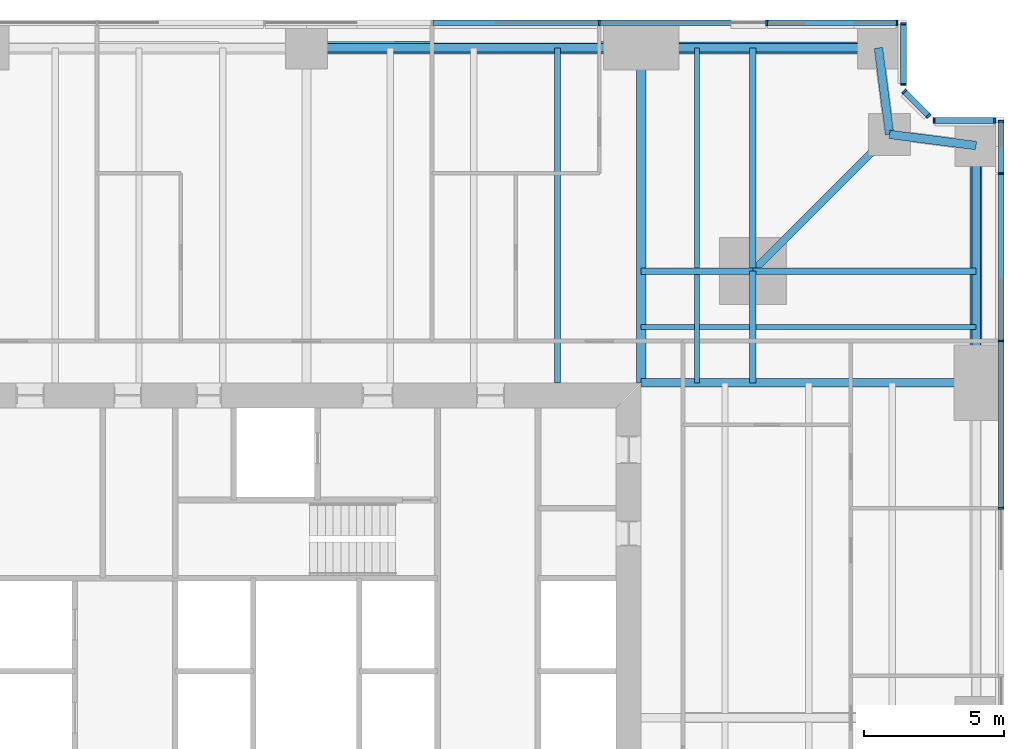
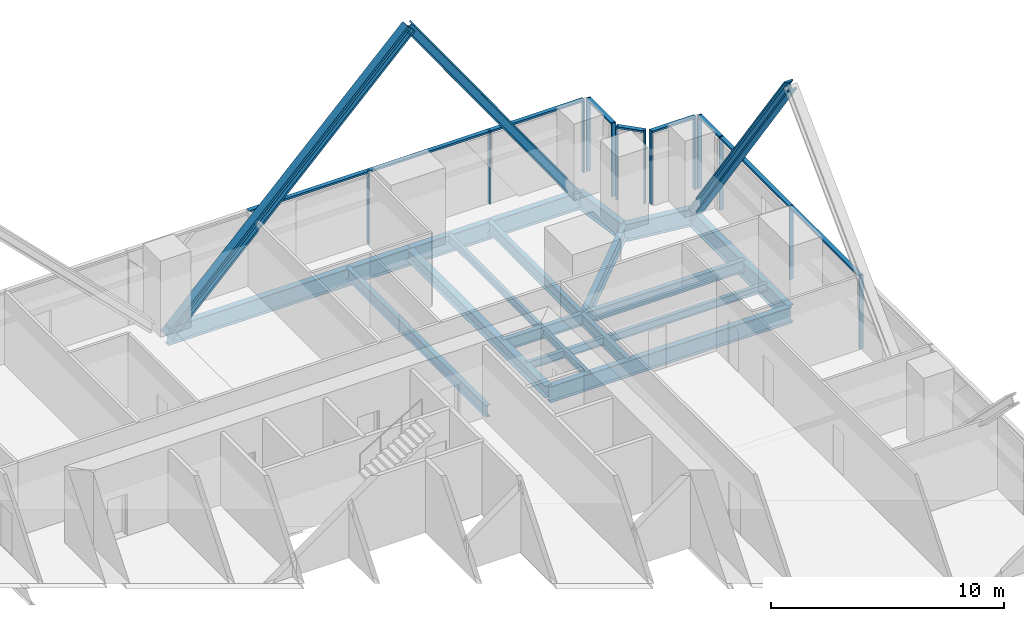
# One storey, part 7 of 13: 25 members, 18 beams, 5 elements without a shape of their own.
"""IFC4 building model written with IfcOpenShell, lengths in metres."""

from ifc_helpers import new_model, si_unit, direction, frame, origin, origin_2d, place, context, subcontext, project, spatial, rectangle, i_section, extrude, material, material_profile, profile_set, type_object, element, aggregate, save


model = new_model("IFC4")

# Units and contexts
model_context = context("Model", 3, precision=1e-05, world=origin(), true_north=direction((0.0, 1.0)))
body_context = subcontext(model_context, "Body", "Model", "MODEL_VIEW")
ifc_project = project(units=[si_unit("LENGTHUNIT", "METRE"), si_unit("AREAUNIT", "SQUARE_METRE"), si_unit("VOLUMEUNIT", "CUBIC_METRE"), si_unit("PLANEANGLEUNIT", "RADIAN"), si_unit("MASSUNIT", "GRAM", prefix="KILO")], contexts=[model_context])

# Site, building, storey
site_placement = place(None, origin())
site = spatial("IfcSite", under=ifc_project, at=site_placement, CompositionType="ELEMENT")
building_placement = place(site_placement, origin())
building = spatial("IfcBuilding", under=site, at=building_placement, Name="Fenwick Lantern Interchange", CompositionType="ELEMENT")
storey_placement = place(building_placement, frame((0.0, 0.0, 43.0)))
storey = spatial("IfcBuildingStorey", under=building, at=storey_placement, Name="L09", CompositionType="ELEMENT", Elevation=43.0)

# Beams
ifc_material_1 = material(Name="Steel ASTM A992 Grade 50", Category="steel")
ifc_material_profile_1 = material_profile(ifc_material_1, i_section(OverallWidth=0.3046875, OverallDepth=0.911865234375, WebThickness=0.015869140625, FlangeThickness=0.02392578125, at=origin_2d()), Name="W36X150")
ifc_profile_set_1 = profile_set([ifc_material_profile_1], Name="Steel ASTM A992 Grade 50")
beam_type_1 = type_object("IfcBeamType", Name="EDGE BEAM W36X150", PredefinedType="SPANDREL", material=ifc_profile_set_1)
beam_1_placement = place(storey_placement, frame((49.0, 37.0, -0.60595703125), z_axis=(0.0, 1.0, 0.0), x_axis=(-1.0, 0.0, 0.0)))
element("IfcBeam", 1, at=beam_1_placement, inside=storey, type_object=beam_type_1, Name="L09/FR/E/EB4", PredefinedType="SPANDREL", context=body_context, shape_type="SweptSolid", body=[
    extrude(i_section(OverallWidth=0.3046875, OverallDepth=0.911865234375, WebThickness=0.015869140625, FlangeThickness=0.02392578125, at=origin_2d()), origin(), (0.0, 0.0, 1.0), 8.5),
])
for number, where, z_axis, x_axis, name in (
    (2, (49.0, 45.5, -0.60595703125), (-0.991782342897, 0.127936641807, 0.0), (-0.127936641807, -0.991782342897, 0.0), "L09/FR/E/EBR1"),
    (3, (45.89990234375, 45.89990234375, -0.60595703125), (-0.127936641807, 0.991782342897, 0.0), (-0.991782342897, -0.127936641807, 0.0), "L09/FR/E/EBR2"),
):
    element("IfcBeam", number, at=place(storey_placement, frame(where, z_axis=z_axis, x_axis=x_axis)), inside=storey, type_object=beam_type_1, Name=name, PredefinedType="SPANDREL", context=body_context, shape_type="SweptSolid", body=[
        extrude(i_section(OverallWidth=0.3046875, OverallDepth=0.911865234375, WebThickness=0.015869140625, FlangeThickness=0.02392578125, at=origin_2d()), origin(), (0.0, 0.0, 1.0), 3.125732421875),
    ])
beam_2_placement = place(storey_placement, frame((45.5, 49.0, -0.60595703125), z_axis=(-1.0, 0.0, 0.0), x_axis=(0.0, -1.0, 0.0)))
element("IfcBeam", 4, at=beam_2_placement, inside=storey, type_object=beam_type_1, Name="L09/FR/N/EB1", PredefinedType="SPANDREL", context=body_context, shape_type="SweptSolid", body=[
    extrude(i_section(OverallWidth=0.3046875, OverallDepth=0.911865234375, WebThickness=0.015869140625, FlangeThickness=0.02392578125, at=origin_2d()), origin(), (0.0, 0.0, 1.0), 8.5),
])
beam_3_placement = place(storey_placement, frame((37.0, 49.0, -0.60595703125), z_axis=(-1.0, 0.0, 0.0), x_axis=(0.0, -1.0, 0.0)))
element("IfcBeam", 5, at=beam_3_placement, inside=storey, type_object=beam_type_1, Name="L09/FR/N/EB2", PredefinedType="SPANDREL", context=body_context, shape_type="SweptSolid", body=[
    extrude(i_section(OverallWidth=0.3046875, OverallDepth=0.911865234375, WebThickness=0.015869140625, FlangeThickness=0.02392578125, at=origin_2d()), origin(), (0.0, 0.0, 1.0), 12.0),
])

# Members
ifc_material_profile_2 = material_profile(ifc_material_1, i_section(OverallWidth=0.424072265625, OverallDepth=0.47509765625, WebThickness=0.0478515625, FlangeThickness=0.0771484375, at=origin_2d()), Name="W14X426")
ifc_profile_set_2 = profile_set([ifc_material_profile_2], Name="Steel ASTM A992 Grade 50")
member_type_1 = type_object("IfcMemberType", Name="FACADE BRACE W14X426", PredefinedType="BRACE", material=ifc_profile_set_2)
for number, where, z_axis, x_axis, name in (
    (6, (49.0, 45.5, -0.60595703125), (0.0, -0.57801734078, 0.816024481102), (1.0, 0.0, 0.0), "L09/FB/E/BE"),
    (7, (45.5, 49.0, -0.60595703125), (-0.57801734078, 0.0, 0.816024481102), (0.0, -1.0, 0.0), "L09/FB/N/AE"),
):
    element("IfcMember", number, at=place(storey_placement, frame(where, z_axis=z_axis, x_axis=x_axis)), inside=storey, type_object=member_type_1, Name=name, PredefinedType="BRACE", context=body_context, shape_type="SweptSolid", body=[
        extrude(i_section(OverallWidth=0.424072265625, OverallDepth=0.47509765625, WebThickness=0.0478515625, FlangeThickness=0.0771484375, at=origin_2d()), origin(), (0.0, 0.0, 1.0), 14.705322265625),
    ])
ifc_material_profile_3 = material_profile(ifc_material_1, i_section(OverallWidth=0.44189453125, OverallDepth=0.53076171875, WebThickness=0.06591796875, FlangeThickness=0.105712890625, at=origin_2d()), Name="W14X605")
ifc_profile_set_3 = profile_set([ifc_material_profile_3], Name="Steel ASTM A992 Grade 50")
member_type_2 = type_object("IfcMemberType", Name="FACADE BRACE W14X605", PredefinedType="BRACE", material=ifc_profile_set_3)
member_1_placement = place(storey_placement, frame((25.0, 49.0, -0.60595703125), z_axis=(0.707106781187, 0.0, 0.707106781187), x_axis=(0.0, 1.0, 0.0)))
element("IfcMember", 8, at=member_1_placement, inside=storey, type_object=member_type_2, Name="L09/FB/N/A", PredefinedType="BRACE", context=body_context, shape_type="SweptSolid", body=[
    extrude(i_section(OverallWidth=0.44189453125, OverallDepth=0.53076171875, WebThickness=0.06591796875, FlangeThickness=0.105712890625, at=origin_2d()), origin(), (0.0, 0.0, 1.0), 16.970458984375),
])

# Beams
ifc_material_profile_4 = material_profile(ifc_material_1, i_section(OverallWidth=0.22900390625, OverallDepth=0.612060546875, WebThickness=0.011962890625, FlangeThickness=0.01953125, at=origin_2d()), Name="W24X84")
ifc_profile_set_4 = profile_set([ifc_material_profile_4], Name="Steel ASTM A992 Grade 50")
beam_type_2 = type_object("IfcBeamType", Name="FLOOR BEAM W24X84", PredefinedType="BEAM", material=ifc_profile_set_4)
beam_4_placement = place(storey_placement, frame((34.0, 49.0, -0.4560546875), z_axis=(0.0, -1.0, 0.0), x_axis=(1.0, 0.0, 0.0)))
element("IfcBeam", 9, at=beam_4_placement, inside=storey, type_object=beam_type_2, Name="L09/FR/N/R02", PredefinedType="BEAM", context=body_context, shape_type="SweptSolid", body=[
    extrude(i_section(OverallWidth=0.22900390625, OverallDepth=0.612060546875, WebThickness=0.011962890625, FlangeThickness=0.01953125, at=origin_2d()), origin(), (0.0, 0.0, 1.0), 12.0),
])
ifc_material_profile_5 = material_profile(ifc_material_1, i_section(OverallWidth=0.177734375, OverallDepth=0.406494140625, WebThickness=0.0078125, FlangeThickness=0.012939453125, at=origin_2d()), Name="W16X40")
ifc_profile_set_5 = profile_set([ifc_material_profile_5], Name="Steel ASTM A992 Grade 50")
beam_type_3 = type_object("IfcBeamType", Name="INFILL BEAM W16X40", PredefinedType="JOIST", material=ifc_profile_set_5)
beam_5_placement = place(storey_placement, frame((39.0, 49.0, -0.353271484375), z_axis=(0.0, -1.0, 0.0), x_axis=(1.0, 0.0, 0.0)))
element("IfcBeam", 10, at=beam_5_placement, inside=storey, type_object=beam_type_3, Name="L09/FR/N/J1", PredefinedType="JOIST", context=body_context, shape_type="SweptSolid", body=[
    extrude(i_section(OverallWidth=0.177734375, OverallDepth=0.406494140625, WebThickness=0.0078125, FlangeThickness=0.012939453125, at=origin_2d()), origin(), (0.0, 0.0, 1.0), 7.885498046875),
])
beam_6_placement = place(storey_placement, frame((39.0, 40.885498046875, -0.353271484375), z_axis=(0.0, -1.0, 0.0), x_axis=(1.0, 0.0, 0.0)))
element("IfcBeam", 11, at=beam_6_placement, inside=storey, type_object=beam_type_3, Name="L09/FR/N/J2", PredefinedType="JOIST", context=body_context, shape_type="SweptSolid", body=[
    extrude(i_section(OverallWidth=0.177734375, OverallDepth=0.406494140625, WebThickness=0.0078125, FlangeThickness=0.012939453125, at=origin_2d()), origin(), (0.0, 0.0, 1.0), 3.885498046875),
])
beam_7_placement = place(storey_placement, frame((49.0, 39.0, -0.353271484375), z_axis=(-1.0, 0.0, 0.0), x_axis=(0.0, -1.0, 0.0)))
element("IfcBeam", 12, at=beam_7_placement, inside=storey, type_object=beam_type_3, Name="L09/FR/N/J3", PredefinedType="JOIST", context=body_context, shape_type="SweptSolid", body=[
    extrude(i_section(OverallWidth=0.177734375, OverallDepth=0.406494140625, WebThickness=0.0078125, FlangeThickness=0.012939453125, at=origin_2d()), origin(), (0.0, 0.0, 1.0), 7.885498046875),
])
beam_8_placement = place(storey_placement, frame((40.885498046875, 39.0, -0.353271484375), z_axis=(-1.0, 0.0, 0.0), x_axis=(0.0, -1.0, 0.0)))
element("IfcBeam", 13, at=beam_8_placement, inside=storey, type_object=beam_type_3, Name="L09/FR/N/J4", PredefinedType="JOIST", context=body_context, shape_type="SweptSolid", body=[
    extrude(i_section(OverallWidth=0.177734375, OverallDepth=0.406494140625, WebThickness=0.0078125, FlangeThickness=0.012939453125, at=origin_2d()), origin(), (0.0, 0.0, 1.0), 1.796630859375),
])
beam_9_placement = place(storey_placement, frame((38.9111328125, 39.0, -0.353271484375), z_axis=(-1.0, 0.0, 0.0), x_axis=(0.0, -1.0, 0.0)))
element("IfcBeam", 14, at=beam_9_placement, inside=storey, type_object=beam_type_3, Name="L09/FR/N/J5", PredefinedType="JOIST", context=body_context, shape_type="SweptSolid", body=[
    extrude(i_section(OverallWidth=0.177734375, OverallDepth=0.406494140625, WebThickness=0.0078125, FlangeThickness=0.012939453125, at=origin_2d()), origin(), (0.0, 0.0, 1.0), 1.9111328125),
])
ifc_material_profile_6 = material_profile(ifc_material_1, i_section(OverallWidth=0.22900390625, OverallDepth=0.612060546875, WebThickness=0.011962890625, FlangeThickness=0.01953125, at=origin_2d()), Name="W24X84")
ifc_profile_set_6 = profile_set([ifc_material_profile_6], Name="Steel ASTM A992 Grade 50")
beam_type_4 = type_object("IfcBeamType", Name="MEGA COLUMN BEAM W24X84", PredefinedType="BEAM", material=ifc_profile_set_6)
for number, where, z_axis, x_axis, name in (
    (15, (41.0, 41.0, -0.4560546875), (0.0, 1.0, 0.0), (-1.0, 0.0, 0.0), "L09/FR/N/MB1"),
    (16, (41.0, 41.0, -0.4560546875), (1.0, 0.0, 0.0), (0.0, 1.0, 0.0), "L09/FR/N/MB2"),
):
    element("IfcBeam", number, at=place(storey_placement, frame(where, z_axis=z_axis, x_axis=x_axis)), inside=storey, type_object=beam_type_4, Name=name, PredefinedType="BEAM", context=body_context, shape_type="SweptSolid", body=[
        extrude(i_section(OverallWidth=0.22900390625, OverallDepth=0.612060546875, WebThickness=0.011962890625, FlangeThickness=0.01953125, at=origin_2d()), origin(), (0.0, 0.0, 1.0), 8.0),
    ])
for number, where, z_axis, x_axis, name in (
    (17, (41.0, 41.0, -0.4560546875), (-1.0, 0.0, 0.0), (0.0, -1.0, 0.0), "L09/FR/N/MB3"),
    (18, (41.0, 41.0, -0.4560546875), (0.0, -1.0, 0.0), (1.0, 0.0, 0.0), "L09/FR/N/MB4"),
):
    element("IfcBeam", number, at=place(storey_placement, frame(where, z_axis=z_axis, x_axis=x_axis)), inside=storey, type_object=beam_type_4, Name=name, PredefinedType="BEAM", context=body_context, shape_type="SweptSolid", body=[
        extrude(i_section(OverallWidth=0.22900390625, OverallDepth=0.612060546875, WebThickness=0.011962890625, FlangeThickness=0.01953125, at=origin_2d()), origin(), (0.0, 0.0, 1.0), 4.0),
    ])
ifc_material_profile_7 = material_profile(ifc_material_1, i_section(OverallWidth=0.32763671875, OverallDepth=0.622314453125, WebThickness=0.015380859375, FlangeThickness=0.0244140625, at=origin_2d()), Name="W24X131")
ifc_profile_set_7 = profile_set([ifc_material_profile_7], Name="Steel ASTM A992 Grade 50")
beam_type_5 = type_object("IfcBeamType", Name="MOMENT-CONNECTED GIRDER W24X131", PredefinedType="BEAM", material=ifc_profile_set_7)
beam_10_placement = place(storey_placement, frame((37.0, 49.0, -0.461181640625), z_axis=(0.0, -1.0, 0.0), x_axis=(1.0, 0.0, 0.0)))
element("IfcBeam", 19, at=beam_10_placement, inside=storey, type_object=beam_type_5, Name="L09/FR/N/R01", PredefinedType="BEAM", context=body_context, shape_type="SweptSolid", body=[
    extrude(i_section(OverallWidth=0.32763671875, OverallDepth=0.622314453125, WebThickness=0.015380859375, FlangeThickness=0.0244140625, at=origin_2d()), origin(), (0.0, 0.0, 1.0), 12.0),
])
ifc_material_profile_8 = material_profile(ifc_material_1, i_section(OverallWidth=0.2919921875, OverallDepth=0.845703125, WebThickness=0.015380859375, FlangeThickness=0.0244140625, at=origin_2d()), Name="W33X141")
ifc_profile_set_8 = profile_set([ifc_material_profile_8], Name="Steel ASTM A992 Grade 50")
beam_type_6 = type_object("IfcBeamType", Name="MOMENT-CONNECTED GIRDER W33X141", PredefinedType="BEAM", material=ifc_profile_set_8)
beam_11_placement = place(storey_placement, frame((49.0, 37.0, -0.572998046875), z_axis=(-1.0, 0.0, 0.0), x_axis=(0.0, -1.0, 0.0)))
element("IfcBeam", 20, at=beam_11_placement, inside=storey, type_object=beam_type_6, Name="L09/FR/E/R03", PredefinedType="BEAM", context=body_context, shape_type="SweptSolid", body=[
    extrude(i_section(OverallWidth=0.2919921875, OverallDepth=0.845703125, WebThickness=0.015380859375, FlangeThickness=0.0244140625, at=origin_2d()), origin(), (0.0, 0.0, 1.0), 12.0),
])
ifc_material_profile_9 = material_profile(ifc_material_1, i_section(OverallWidth=0.2666015625, OverallDepth=0.7568359375, WebThickness=0.013916015625, FlangeThickness=0.019287109375, at=origin_2d()), Name="W30X108")
ifc_profile_set_9 = profile_set([ifc_material_profile_9], Name="Steel ASTM A992 Grade 50")
beam_type_7 = type_object("IfcBeamType", Name="NOTCH BEAM W30X108", PredefinedType="BEAM", material=ifc_profile_set_9)
beam_12_placement = place(storey_placement, frame((41.0, 41.0, -0.528564453125), z_axis=(0.707106781187, 0.707106781187, 0.0), x_axis=(-0.707106781187, 0.707106781187, 0.0)))
element("IfcBeam", 21, at=beam_12_placement, inside=storey, type_object=beam_type_7, Name="L09/FR/N/TG", PredefinedType="BEAM", context=body_context, shape_type="SweptSolid", body=[
    extrude(i_section(OverallWidth=0.2666015625, OverallDepth=0.7568359375, WebThickness=0.013916015625, FlangeThickness=0.019287109375, at=origin_2d()), origin(), (0.0, 0.0, 1.0), 6.929443359375),
])

# Curtain wall, members
ifc_material_2 = material(Name="Aluminium curtain wall frame", Category="aluminium")
curtain_wall_type = type_object("IfcCurtainWallType", Name="OFFICE CURTAIN WALL", PredefinedType="USERDEFINED", material=ifc_material_2)
curtain_wall_1_placement = place(storey_placement, origin())
curtain_wall_1 = element("IfcCurtainWall", 22, at=curtain_wall_1_placement, inside=storey, type_object=curtain_wall_type, Name="Office curtain wall 05", ObjectType="OFFICE CURTAIN WALL", PredefinedType="USERDEFINED")
ifc_material_3 = material(Name="Aluminium extrusion", Category="aluminium")
ifc_material_profile_10 = material_profile(ifc_material_3, rectangle(XDim=0.199951171875, YDim=0.06494140625, at=origin_2d()), Name="OFFICE CURTAIN WALL MULLION 65 X 200")
ifc_profile_set_10 = profile_set([ifc_material_profile_10], Name="Aluminium extrusion")
member_type_3 = type_object("IfcMemberType", Name="OFFICE CURTAIN WALL MULLION 65 X 200", PredefinedType="MULLION", material=ifc_profile_set_10)
member_2_placement = place(storey_placement, frame((49.89990234375, 32.5, 0.0), z_axis=(0.0, 0.0, 1.0), x_axis=(-1.0, 0.0, 0.0)))
member_2 = element("IfcMember", 23, at=member_2_placement, type_object=member_type_3, Name="L09/CW/05/M05", PredefinedType="MULLION", context=body_context, shape_type="SweptSolid", body=[
    extrude(rectangle(XDim=0.199951171875, YDim=0.06494140625, at=origin_2d()), origin(), (0.0, 0.0, 1.0), 3.85009765625),
])
member_3_placement = place(storey_placement, frame((49.89990234375, 38.5, 0.0), z_axis=(0.0, 0.0, 1.0), x_axis=(-1.0, 0.0, 0.0)))
member_3 = element("IfcMember", 24, at=member_3_placement, type_object=member_type_3, Name="L09/CW/05/M06", PredefinedType="MULLION", context=body_context, shape_type="SweptSolid", body=[
    extrude(rectangle(XDim=0.199951171875, YDim=0.06494140625, at=origin_2d()), origin(), (0.0, 0.0, 1.0), 3.85009765625),
])
member_4_placement = place(storey_placement, frame((49.89990234375, 44.5, 0.0), z_axis=(0.0, 0.0, 1.0), x_axis=(-1.0, 0.0, 0.0)))
member_4 = element("IfcMember", 25, at=member_4_placement, type_object=member_type_3, Name="L09/CW/05/M07", PredefinedType="MULLION", context=body_context, shape_type="SweptSolid", body=[
    extrude(rectangle(XDim=0.199951171875, YDim=0.06494140625, at=origin_2d()), origin(), (0.0, 0.0, 1.0), 3.85009765625),
])
member_5_placement = place(storey_placement, frame((49.89990234375, 46.367431640625, 0.0), z_axis=(0.0, 0.0, 1.0), x_axis=(-1.0, 0.0, 0.0)))
member_5 = element("IfcMember", 26, at=member_5_placement, type_object=member_type_3, Name="L09/CW/05/M08", PredefinedType="MULLION", context=body_context, shape_type="SweptSolid", body=[
    extrude(rectangle(XDim=0.199951171875, YDim=0.06494140625, at=origin_2d()), origin(), (0.0, 0.0, 1.0), 3.85009765625),
])

curtain_wall_2_placement = place(storey_placement, origin())
curtain_wall_2 = element("IfcCurtainWall", 27, at=curtain_wall_2_placement, inside=storey, type_object=curtain_wall_type, Name="Office curtain wall 06", ObjectType="OFFICE CURTAIN WALL", PredefinedType="USERDEFINED")
member_6_placement = place(storey_placement, frame((49.66748046875, 46.39990234375, 0.0), z_axis=(0.0, 0.0, 1.0), x_axis=(0.0, -1.0, 0.0)))
member_6 = element("IfcMember", 28, at=member_6_placement, type_object=member_type_3, Name="L09/CW/06/M00", PredefinedType="MULLION", context=body_context, shape_type="SweptSolid", body=[
    extrude(rectangle(XDim=0.199951171875, YDim=0.06494140625, at=origin_2d()), origin(), (0.0, 0.0, 1.0), 3.85009765625),
])
member_7_placement = place(storey_placement, frame((47.490966796875, 46.39990234375, 0.0), z_axis=(0.0, 0.0, 1.0), x_axis=(0.0, -1.0, 0.0)))
member_7 = element("IfcMember", 29, at=member_7_placement, type_object=member_type_3, Name="L09/CW/06/M01", PredefinedType="MULLION", context=body_context, shape_type="SweptSolid", body=[
    extrude(rectangle(XDim=0.199951171875, YDim=0.06494140625, at=origin_2d()), origin(), (0.0, 0.0, 1.0), 3.85009765625),
])

curtain_wall_3_placement = place(storey_placement, origin())
curtain_wall_3 = element("IfcCurtainWall", 30, at=curtain_wall_3_placement, inside=storey, type_object=curtain_wall_type, Name="Office curtain wall 07", ObjectType="OFFICE CURTAIN WALL", PredefinedType="USERDEFINED")
member_8_placement = place(storey_placement, frame((47.294189453125, 46.564453125, 0.0), z_axis=(0.0, 0.0, 1.0), x_axis=(-0.707106781187, -0.707106781187, 0.0)))
member_8 = element("IfcMember", 31, at=member_8_placement, type_object=member_type_3, Name="L09/CW/07/M00", PredefinedType="MULLION", context=body_context, shape_type="SweptSolid", body=[
    extrude(rectangle(XDim=0.199951171875, YDim=0.06494140625, at=origin_2d()), origin(), (0.0, 0.0, 1.0), 3.85009765625),
])
member_9_placement = place(storey_placement, frame((46.423095703125, 47.435546875, 0.0), z_axis=(0.0, 0.0, 1.0), x_axis=(-0.707106781187, -0.707106781187, 0.0)))
member_9 = element("IfcMember", 32, at=member_9_placement, type_object=member_type_3, Name="L09/CW/07/M01", PredefinedType="MULLION", context=body_context, shape_type="SweptSolid", body=[
    extrude(rectangle(XDim=0.199951171875, YDim=0.06494140625, at=origin_2d()), origin(), (0.0, 0.0, 1.0), 3.85009765625),
])

curtain_wall_4_placement = place(storey_placement, origin())
curtain_wall_4 = element("IfcCurtainWall", 33, at=curtain_wall_4_placement, inside=storey, type_object=curtain_wall_type, Name="Office curtain wall 08", ObjectType="OFFICE CURTAIN WALL", PredefinedType="USERDEFINED")
member_10_placement = place(storey_placement, frame((46.39990234375, 47.691162109375, 0.0), z_axis=(0.0, 0.0, 1.0), x_axis=(-1.0, 0.0, 0.0)))
member_10 = element("IfcMember", 34, at=member_10_placement, type_object=member_type_3, Name="L09/CW/08/M00", PredefinedType="MULLION", context=body_context, shape_type="SweptSolid", body=[
    extrude(rectangle(XDim=0.199951171875, YDim=0.06494140625, at=origin_2d()), origin(), (0.0, 0.0, 1.0), 3.85009765625),
])
member_11_placement = place(storey_placement, frame((46.39990234375, 49.867431640625, 0.0), z_axis=(0.0, 0.0, 1.0), x_axis=(-1.0, 0.0, 0.0)))
member_11 = element("IfcMember", 35, at=member_11_placement, type_object=member_type_3, Name="L09/CW/08/M01", PredefinedType="MULLION", context=body_context, shape_type="SweptSolid", body=[
    extrude(rectangle(XDim=0.199951171875, YDim=0.06494140625, at=origin_2d()), origin(), (0.0, 0.0, 1.0), 3.85009765625),
])

curtain_wall_5_placement = place(storey_placement, origin())
curtain_wall_5 = element("IfcCurtainWall", 36, at=curtain_wall_5_placement, inside=storey, type_object=curtain_wall_type, Name="Office curtain wall 09", ObjectType="OFFICE CURTAIN WALL", PredefinedType="USERDEFINED")
member_12_placement = place(storey_placement, frame((46.16748046875, 49.89990234375, 0.0), z_axis=(0.0, 0.0, 1.0), x_axis=(0.0, -1.0, 0.0)))
member_12 = element("IfcMember", 37, at=member_12_placement, type_object=member_type_3, Name="L09/CW/09/M00", PredefinedType="MULLION", context=body_context, shape_type="SweptSolid", body=[
    extrude(rectangle(XDim=0.199951171875, YDim=0.06494140625, at=origin_2d()), origin(), (0.0, 0.0, 1.0), 3.85009765625),
])
member_13_placement = place(storey_placement, frame((41.5, 49.89990234375, 0.0), z_axis=(0.0, 0.0, 1.0), x_axis=(0.0, -1.0, 0.0)))
member_13 = element("IfcMember", 38, at=member_13_placement, type_object=member_type_3, Name="L09/CW/09/M01", PredefinedType="MULLION", context=body_context, shape_type="SweptSolid", body=[
    extrude(rectangle(XDim=0.199951171875, YDim=0.06494140625, at=origin_2d()), origin(), (0.0, 0.0, 1.0), 3.85009765625),
])
member_14_placement = place(storey_placement, frame((35.5, 49.89990234375, 0.0), z_axis=(0.0, 0.0, 1.0), x_axis=(0.0, -1.0, 0.0)))
member_14 = element("IfcMember", 39, at=member_14_placement, type_object=member_type_3, Name="L09/CW/09/M02", PredefinedType="MULLION", context=body_context, shape_type="SweptSolid", body=[
    extrude(rectangle(XDim=0.199951171875, YDim=0.06494140625, at=origin_2d()), origin(), (0.0, 0.0, 1.0), 3.85009765625),
])

# Member
ifc_material_profile_11 = material_profile(ifc_material_3, rectangle(XDim=0.199951171875, YDim=0.10009765625, at=origin_2d()), Name="OFFICE CURTAIN WALL TRANSOM 100 X 200")
ifc_profile_set_11 = profile_set([ifc_material_profile_11], Name="Aluminium extrusion")
member_type_4 = type_object("IfcMemberType", Name="OFFICE CURTAIN WALL TRANSOM 100 X 200", PredefinedType="MULLION", material=ifc_profile_set_11)
member_15_placement = place(storey_placement, frame((49.89990234375, 32.532470703125, 3.800048828125), z_axis=(0.0, 1.0, 0.0), x_axis=(-1.0, 0.0, 0.0)))
member_15 = element("IfcMember", 40, at=member_15_placement, type_object=member_type_4, Name="L09/CW/05/T05", PredefinedType="MULLION", context=body_context, shape_type="SweptSolid", body=[
    extrude(rectangle(XDim=0.199951171875, YDim=0.10009765625, at=origin_2d()), origin(), (0.0, 0.0, 1.0), 5.93505859375),
])

member_16_placement = place(storey_placement, frame((49.89990234375, 38.532470703125, 3.800048828125), z_axis=(0.0, 1.0, 0.0), x_axis=(-1.0, 0.0, 0.0)))
member_16 = element("IfcMember", 41, at=member_16_placement, type_object=member_type_4, Name="L09/CW/05/T06", PredefinedType="MULLION", context=body_context, shape_type="SweptSolid", body=[
    extrude(rectangle(XDim=0.199951171875, YDim=0.10009765625, at=origin_2d()), origin(), (0.0, 0.0, 1.0), 5.93505859375),
])

member_17_placement = place(storey_placement, frame((49.89990234375, 44.532470703125, 3.800048828125), z_axis=(0.0, 1.0, 0.0), x_axis=(-1.0, 0.0, 0.0)))
member_17 = element("IfcMember", 42, at=member_17_placement, type_object=member_type_4, Name="L09/CW/05/T07", PredefinedType="MULLION", context=body_context, shape_type="SweptSolid", body=[
    extrude(rectangle(XDim=0.199951171875, YDim=0.10009765625, at=origin_2d()), origin(), (0.0, 0.0, 1.0), 1.802490234375),
])

aggregate(curtain_wall_1, [member_2, member_3, member_4, member_5, member_15, member_16, member_17])

member_18_placement = place(storey_placement, frame((49.635009765625, 46.39990234375, 3.800048828125), z_axis=(-1.0, 0.0, 0.0), x_axis=(0.0, -1.0, 0.0)))
member_18 = element("IfcMember", 43, at=member_18_placement, type_object=member_type_4, Name="L09/CW/06/T00", PredefinedType="MULLION", context=body_context, shape_type="SweptSolid", body=[
    extrude(rectangle(XDim=0.199951171875, YDim=0.10009765625, at=origin_2d()), origin(), (0.0, 0.0, 1.0), 2.111328125),
])

aggregate(curtain_wall_2, [member_6, member_7, member_18])

member_19_placement = place(storey_placement, frame((47.271240234375, 46.58740234375, 3.800048828125), z_axis=(-0.707106781187, 0.707106781187, 0.0), x_axis=(-0.707106781187, -0.707106781187, 0.0)))
member_19 = element("IfcMember", 44, at=member_19_placement, type_object=member_type_4, Name="L09/CW/07/T00", PredefinedType="MULLION", context=body_context, shape_type="SweptSolid", body=[
    extrude(rectangle(XDim=0.199951171875, YDim=0.10009765625, at=origin_2d()), origin(), (0.0, 0.0, 1.0), 1.1669921875),
])

aggregate(curtain_wall_3, [member_8, member_9, member_19])

member_20_placement = place(storey_placement, frame((46.39990234375, 47.7236328125, 3.800048828125), z_axis=(0.0, 1.0, 0.0), x_axis=(-1.0, 0.0, 0.0)))
member_20 = element("IfcMember", 45, at=member_20_placement, type_object=member_type_4, Name="L09/CW/08/T00", PredefinedType="MULLION", context=body_context, shape_type="SweptSolid", body=[
    extrude(rectangle(XDim=0.199951171875, YDim=0.10009765625, at=origin_2d()), origin(), (0.0, 0.0, 1.0), 2.111328125),
])

aggregate(curtain_wall_4, [member_10, member_11, member_20])

member_21_placement = place(storey_placement, frame((46.135009765625, 49.89990234375, 3.800048828125), z_axis=(-1.0, 0.0, 0.0), x_axis=(0.0, -1.0, 0.0)))
member_21 = element("IfcMember", 46, at=member_21_placement, type_object=member_type_4, Name="L09/CW/09/T00", PredefinedType="MULLION", context=body_context, shape_type="SweptSolid", body=[
    extrude(rectangle(XDim=0.199951171875, YDim=0.10009765625, at=origin_2d()), origin(), (0.0, 0.0, 1.0), 4.6025390625),
])

member_22_placement = place(storey_placement, frame((41.467529296875, 49.89990234375, 3.800048828125), z_axis=(-1.0, 0.0, 0.0), x_axis=(0.0, -1.0, 0.0)))
member_22 = element("IfcMember", 47, at=member_22_placement, type_object=member_type_4, Name="L09/CW/09/T01", PredefinedType="MULLION", context=body_context, shape_type="SweptSolid", body=[
    extrude(rectangle(XDim=0.199951171875, YDim=0.10009765625, at=origin_2d()), origin(), (0.0, 0.0, 1.0), 5.93505859375),
])

member_23_placement = place(storey_placement, frame((35.467529296875, 49.89990234375, 3.800048828125), z_axis=(-1.0, 0.0, 0.0), x_axis=(0.0, -1.0, 0.0)))
member_23 = element("IfcMember", 48, at=member_23_placement, type_object=member_type_4, Name="L09/CW/09/T02", PredefinedType="MULLION", context=body_context, shape_type="SweptSolid", body=[
    extrude(rectangle(XDim=0.199951171875, YDim=0.10009765625, at=origin_2d()), origin(), (0.0, 0.0, 1.0), 5.93505859375),
])

aggregate(curtain_wall_5, [member_12, member_13, member_14, member_21, member_22, member_23])

save(model, "model.ifc")
